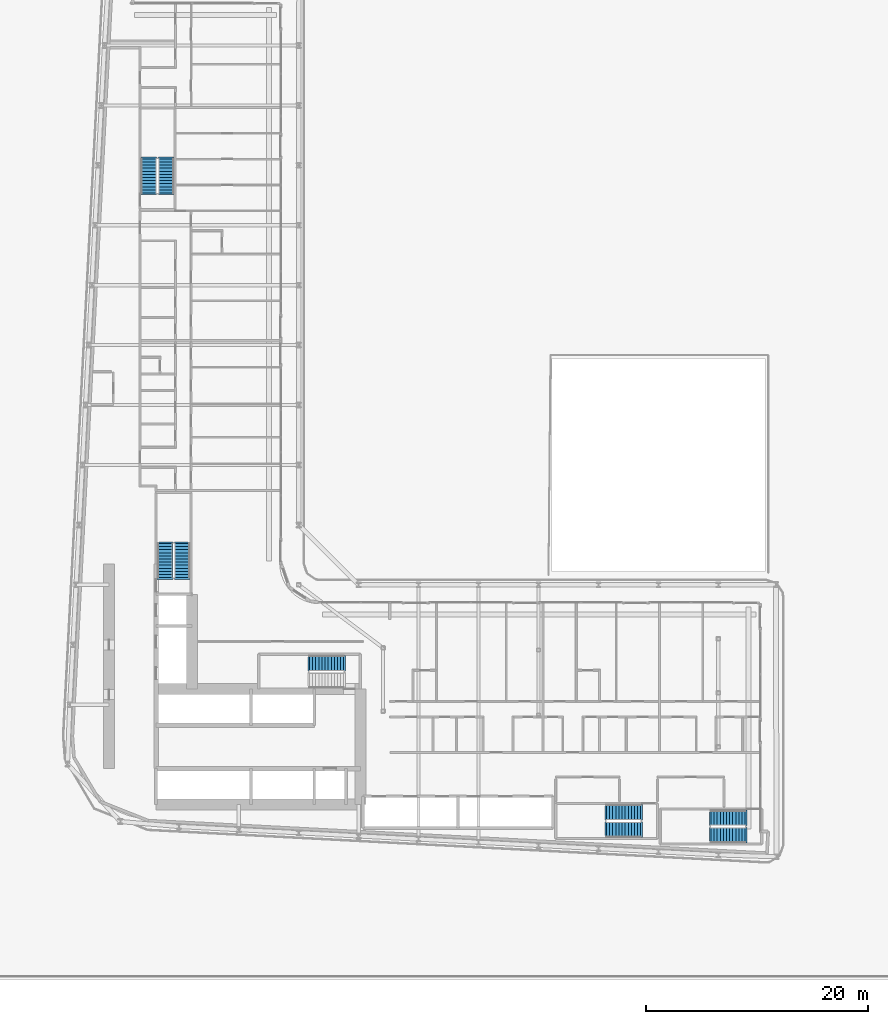
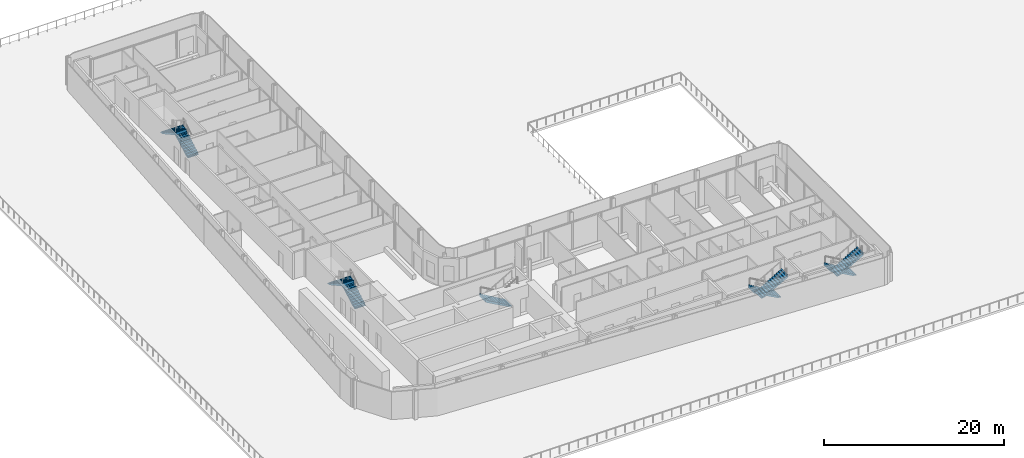
# One storey, part 19 of 27: 9 stair flights, 5 elements without a shape of their own.
"""IFC4 building model written with IfcOpenShell, lengths in metres."""

import ifcopenshell
import ifcopenshell.guid

model = None  # the IFC model being written
_history = None  # IfcOwnerHistory: only IFC2X3 demands one
_inside = {}  # id of a spatial element -> (the spatial element, [elements in it])
_under = {}  # id of a project, library or spatial element -> (it, [spatial elements below it])
_declared = {}  # id of a project -> (the project, [libraries it declares])
_typed = {}  # id of a type object -> (the type object, [elements of that type])
_made_of = {}  # id of a material, layer set ... -> (it, [elements and type objects made of it])


def new_model(schema):
    """Start an empty IFC model of exactly this schema.

    Asked for "IFC4X3", IfcOpenShell would pick the latest addendum, in which some entities
    have other attributes; the version numbers below select the first issue.
    IFC2X3 requires an IfcOwnerHistory on every rooted entity: one is made here for all.
    """
    global model, _history
    if schema == "IFC4X3":
        model = ifcopenshell.file(schema_version=(4, 3, 0, 0))
    else:
        model = ifcopenshell.file(schema=schema)
    _inside.clear()
    _under.clear()
    _declared.clear()
    _typed.clear()
    _made_of.clear()
    _history = None
    if model.schema == "IFC2X3":
        org = make("IfcOrganization", Name="unknown")
        user = make(
            "IfcPersonAndOrganization",
            ThePerson=make("IfcPerson", FamilyName="unknown"),
            TheOrganization=org,
        )
        app = make(
            "IfcApplication",
            ApplicationDeveloper=org,
            Version="unknown",
            ApplicationFullName="unknown",
            ApplicationIdentifier="unknown",
        )
        _history = make(
            "IfcOwnerHistory",
            OwningUser=user,
            OwningApplication=app,
            ChangeAction="ADDED",
            CreationDate=0,
        )
    return model


def make(cls, **values):
    """One entity of the class cls with the attributes given. An attribute that is None is left unset."""
    return model.create_entity(
        cls, **{name: value for name, value in values.items() if value is not None}
    )


def rooted(cls, **values):
    """An entity with a GlobalId (a new one), such as an element, a storey or a relation."""
    return make(cls, GlobalId=ifcopenshell.guid.new(), OwnerHistory=_history, **values)


def si_unit(unit_type, name, prefix=None):
    """IfcSIUnit, for example si_unit("LENGTHUNIT", "METRE", prefix="MILLI")."""
    return make("IfcSIUnit", UnitType=unit_type, Prefix=prefix, Name=name)


def assignment(units):
    """IfcUnitAssignment: the units of a project."""
    return None if units is None else make("IfcUnitAssignment", Units=units)


def point(xyz):
    """IfcCartesianPoint."""
    return None if xyz is None else make("IfcCartesianPoint", Coordinates=xyz)


def direction(xyz):
    """IfcDirection."""
    return None if xyz is None else make("IfcDirection", DirectionRatios=xyz)


def frame(location, z_axis=None, x_axis=None):
    """IfcAxis2Placement3D, a coordinate frame: its origin and axes. An axis left out is left unset."""
    return make(
        "IfcAxis2Placement3D",
        Location=point(location),
        Axis=direction(z_axis),
        RefDirection=direction(x_axis),
    )


def origin():
    """The frame at (0, 0, 0) with its axes left unset."""
    return frame((0.0, 0.0, 0.0))


def place(relative_to, where):
    """IfcLocalPlacement: puts the frame where relative to a parent placement (None: the world)."""
    return make(
        "IfcLocalPlacement", PlacementRelTo=relative_to, RelativePlacement=where
    )


def context(
    kind, dimensions, precision=None, world=None, true_north=None, identifier=None
):
    """IfcGeometricRepresentationContext, for example the 3D "Model" context."""
    return make(
        "IfcGeometricRepresentationContext",
        ContextIdentifier=identifier,
        ContextType=kind,
        CoordinateSpaceDimension=dimensions,
        Precision=precision,
        WorldCoordinateSystem=world,
        TrueNorth=true_north,
    )


def subcontext(parent, identifier, kind, view, scale=None):
    """IfcGeometricRepresentationSubContext, for example "Body" below "Model"."""
    return make(
        "IfcGeometricRepresentationSubContext",
        ContextIdentifier=identifier,
        ContextType=kind,
        ParentContext=parent,
        TargetScale=scale,
        TargetView=view,
    )


def project(units=None, contexts=None):
    """IfcProject with its units and contexts."""
    return rooted(
        "IfcProject",
        Name="project",
        RepresentationContexts=contexts,
        UnitsInContext=assignment(units),
    )


def spatial(cls, under=None, at=None, **own):
    """A site, building, storey or space (cls), placed at a placement, below another one or the project."""
    s = rooted(cls, ObjectPlacement=at, **own)
    if under is not None:
        _under.setdefault(under.id(), (under, []))[1].append(s)
    return s


def polyline(points):
    """IfcPolyline through the points."""
    return make("IfcPolyline", Points=[point(p) for p in points])


def outline(outer, holes=None, kind="AREA"):
    """IfcArbitraryClosedProfileDef: a profile drawn as a closed curve; with holes, ...WithVoids."""
    if holes is None:
        return make("IfcArbitraryClosedProfileDef", ProfileType=kind, OuterCurve=outer)
    return make(
        "IfcArbitraryProfileDefWithVoids",
        ProfileType=kind,
        OuterCurve=outer,
        InnerCurves=holes,
    )


def extrude(swept, where, along, depth):
    """IfcExtrudedAreaSolid: the profile swept, set in the frame where, extruded along a direction by depth."""
    return make(
        "IfcExtrudedAreaSolid",
        SweptArea=swept,
        Position=where,
        ExtrudedDirection=direction(along),
        Depth=depth,
    )


def shape(context_of_items, identifier, shape_type, items):
    """IfcShapeRepresentation: the items that make up one representation, for example the "Body"."""
    return make(
        "IfcShapeRepresentation",
        ContextOfItems=context_of_items,
        RepresentationIdentifier=identifier,
        RepresentationType=shape_type,
        Items=items,
    )


def material(Name=None, Category=None):
    """IfcMaterial."""
    return make("IfcMaterial", Name=Name, Category=Category)


def layer(
    of_material, thickness, ventilated=None, Name=None, Category=None, Priority=None
):
    """IfcMaterialLayer: one layer of a wall or slab, of a material (None: an air gap)."""
    return make(
        "IfcMaterialLayer",
        Material=of_material,
        LayerThickness=thickness,
        IsVentilated=ventilated,
        Name=Name,
        Category=Category,
        Priority=Priority,
    )


def layer_set(layers, Name=None):
    """IfcMaterialLayerSet."""
    return make("IfcMaterialLayerSet", MaterialLayers=layers, LayerSetName=Name)


def made_of(thing, what):
    """Note that an element or type object is made of a material, layer set ...; save() writes the relation."""
    if what is not None:
        _made_of.setdefault(what.id(), (what, []))[1].append(thing)
    return thing


def type_object(cls, material=None, **own):
    """A type object (cls), such as IfcWallType, which elements share."""
    return made_of(rooted(cls, **own), material)


def element(
    cls,
    number,
    at=None,
    inside=None,
    cuts=None,
    type_object=None,
    material=None,
    context=None,
    identifier="Body",
    shape_type=None,
    held_by="IfcProductDefinitionShape",
    body=None,
    shapes=None,
    **own,
):
    """One element of the class cls, such as IfcWall. Its Tag is "e" and its number.

    at: its placement. inside: the storey or other place that contains it. cuts: it is an
    opening in that element (IfcRelVoidsElement). A single representation is given by context,
    identifier, shape_type and body (its items); several are given by shapes. held_by: the class
    of the entity that holds the representations. save() writes the other relations.
    """
    e = rooted(cls, Tag="e%d" % number, ObjectPlacement=at, **own)
    if body is not None:
        shapes = [shape(context, identifier, shape_type, body)]
    if shapes is not None:
        e.Representation = make(held_by, Representations=shapes)
    if inside is not None:
        _inside.setdefault(inside.id(), (inside, []))[1].append(e)
    if cuts is not None:
        rooted(
            "IfcRelVoidsElement", RelatingBuildingElement=cuts, RelatedOpeningElement=e
        )
    if type_object is not None:
        _typed.setdefault(type_object.id(), (type_object, []))[1].append(e)
    return made_of(e, material)


def aggregate(whole, parts):
    """IfcRelAggregates: a whole, such as a stair, and the parts it consists of."""
    return rooted("IfcRelAggregates", RelatingObject=whole, RelatedObjects=parts)


def save(model, path):
    """Write the relations noted so far, then the file.

    IfcRelAggregates (storeys below a building ...), IfcRelContainedInSpatialStructure (elements
    in a storey), IfcRelDefinesByType, IfcRelAssociatesMaterial and IfcRelDeclares: one each for
    every whole, place, type object, material and project.
    """
    for whole, parts in _under.values():
        aggregate(whole, parts)
    for where, things in _inside.values():
        rooted(
            "IfcRelContainedInSpatialStructure",
            RelatedElements=things,
            RelatingStructure=where,
        )
    for kind, things in _typed.values():
        rooted("IfcRelDefinesByType", RelatedObjects=things, RelatingType=kind)
    for what, things in _made_of.values():
        rooted("IfcRelAssociatesMaterial", RelatedObjects=things, RelatingMaterial=what)
    for by, libraries in _declared.values():
        rooted("IfcRelDeclares", RelatingContext=by, RelatedDefinitions=libraries)
    model.write(path)


model = new_model("IFC4")

# Units and contexts
model_context = context("Model", 3, precision=1e-05, world=origin(), true_north=direction((0.0, 1.0)))
body_context = subcontext(model_context, "Body", "Model", "MODEL_VIEW")
ifc_project = project(units=[si_unit("LENGTHUNIT", "METRE"), si_unit("AREAUNIT", "SQUARE_METRE"), si_unit("VOLUMEUNIT", "CUBIC_METRE"), si_unit("PLANEANGLEUNIT", "RADIAN"), si_unit("MASSUNIT", "GRAM", prefix="KILO")], contexts=[model_context])

# Site, building, storey
site_placement = place(None, origin())
site = spatial("IfcSite", under=ifc_project, at=site_placement, CompositionType="ELEMENT")
building_placement = place(site_placement, origin())
building = spatial("IfcBuilding", under=site, at=building_placement, Name="Kheshtan School and Residences Tower", CompositionType="ELEMENT")
storey_placement = place(building_placement, frame((0.0, 0.0, 30.5)))
storey = spatial("IfcBuildingStorey", under=building, at=storey_placement, Name="L06", CompositionType="ELEMENT", Elevation=30.5)

# Stair, stair flight
ifc_material = material(Name="Concrete C40/50", Category="concrete")
stair_type = type_object("IfcStairType", Name="Exit stair, half-turn", PredefinedType="HALF_TURN_STAIR", material=ifc_material)
stair_1_placement = place(storey_placement, origin())
stair_1 = element("IfcStair", 1, at=stair_1_placement, inside=storey, type_object=stair_type, Name="L06 Protected Exit Stair ST1", PredefinedType="HALF_TURN_STAIR")
ifc_layer = layer(ifc_material, 0.14990234375)
ifc_layer_set = layer_set([ifc_layer], Name="Stair flight 1400 Concrete C40/50")
stair_flight_type = type_object("IfcStairFlightType", Name="Stair flight 1400 Concrete C40/50", PredefinedType="STRAIGHT", material=ifc_layer_set)
stair_flight_1_placement = place(storey_placement, frame((51.64990234375, 38.550048828125, 0.0), z_axis=(0.0, 0.0, 1.0), x_axis=(-1.0, 0.0, 0.0)))
stair_flight_1 = element("IfcStairFlight", 2, at=stair_flight_1_placement, type_object=stair_flight_type, Name="ST1 flight 1", NumberOfRisers=12, NumberOfTreads=11, PredefinedType="STRAIGHT", RiserHeight=0.1625, TreadLength=0.28, context=body_context, shape_type="SweptSolid", body=[
    extrude(outline(polyline([(-0.14990234375, -0.10009765625), (-0.14990234375, 0.0), (0.0, 0.0), (0.0, 0.16259765625), (0.280029296875, 0.16259765625), (0.280029296875, 0.324951171875), (0.56005859375, 0.324951171875), (0.56005859375, 0.487548828125), (0.840087890625, 0.487548828125), (0.840087890625, 0.64990234375), (1.1201171875, 0.64990234375), (1.1201171875, 0.8125), (1.39990234375, 0.8125), (1.39990234375, 0.97509765625), (1.679931640625, 0.97509765625), (1.679931640625, 1.137451171875), (1.9599609375, 1.137451171875), (1.9599609375, 1.300048828125), (2.239990234375, 1.300048828125), (2.239990234375, 1.46240234375), (2.52001953125, 1.46240234375), (2.52001953125, 1.625), (2.800048828125, 1.625), (2.800048828125, 1.78759765625), (3.080078125, 1.78759765625), (3.080078125, 1.949951171875), (3.080078125, 1.969970703125), (3.22998046875, 1.969970703125), (3.22998046875, 1.6142578125), (0.298583984375, 0.0), (-0.14990234375, -0.10009765625)])), frame((0.0, 0.699951171875, 0.0), z_axis=(0.0, -1.0, 0.0), x_axis=(1.0, 0.0, 0.0)), (0.0, 0.0, 1.0), 1.39990234375),
])
aggregate(stair_1, [stair_flight_1])

# Stair, stair flights
stair_2_placement = place(storey_placement, origin())
stair_2 = element("IfcStair", 3, at=stair_2_placement, inside=storey, type_object=stair_type, Name="L06 Protected Exit Stair ST2", PredefinedType="HALF_TURN_STAIR")
stair_flight_2_placement = place(storey_placement, frame((37.10009765625, 46.25, 0.0), z_axis=(0.0, 0.0, 1.0), x_axis=(0.0, 1.0, 0.0)))
stair_flight_2 = element("IfcStairFlight", 4, at=stair_flight_2_placement, type_object=stair_flight_type, Name="ST2 flight 1", NumberOfRisers=12, NumberOfTreads=11, PredefinedType="STRAIGHT", RiserHeight=0.1625, TreadLength=0.28, context=body_context, shape_type="SweptSolid", body=[
    extrude(outline(polyline([(-0.14990234375, -0.10009765625), (-0.14990234375, 0.0), (0.0, 0.0), (0.0, 0.16259765625), (0.280029296875, 0.16259765625), (0.280029296875, 0.324951171875), (0.56005859375, 0.324951171875), (0.56005859375, 0.487548828125), (0.840087890625, 0.487548828125), (0.840087890625, 0.64990234375), (1.1201171875, 0.64990234375), (1.1201171875, 0.8125), (1.39990234375, 0.8125), (1.39990234375, 0.97509765625), (1.679931640625, 0.97509765625), (1.679931640625, 1.137451171875), (1.9599609375, 1.137451171875), (1.9599609375, 1.300048828125), (2.239990234375, 1.300048828125), (2.239990234375, 1.46240234375), (2.52001953125, 1.46240234375), (2.52001953125, 1.625), (2.800048828125, 1.625), (2.800048828125, 1.78759765625), (3.080078125, 1.78759765625), (3.080078125, 1.949951171875), (3.080078125, 1.969970703125), (3.22998046875, 1.969970703125), (3.22998046875, 1.6142578125), (0.298583984375, 0.0), (-0.14990234375, -0.10009765625)])), frame((0.0, 0.699951171875, 0.0), z_axis=(0.0, -1.0, 0.0), x_axis=(1.0, 0.0, 0.0)), (0.0, 0.0, 1.0), 1.39990234375),
])
stair_flight_3_placement = place(storey_placement, frame((35.550048828125, 49.330078125, 1.949951171875), z_axis=(0.0, 0.0, 1.0), x_axis=(0.0, -1.0, 0.0)))
stair_flight_3 = element("IfcStairFlight", 5, at=stair_flight_3_placement, type_object=stair_flight_type, Name="ST2 flight 2", NumberOfRisers=12, NumberOfTreads=11, PredefinedType="STRAIGHT", RiserHeight=0.1625, TreadLength=0.28, context=body_context, shape_type="SweptSolid", body=[
    extrude(outline(polyline([(-0.14990234375, -0.10009765625), (-0.14990234375, 0.0), (0.0, 0.0), (0.0, 0.16259765625), (0.280029296875, 0.16259765625), (0.280029296875, 0.324951171875), (0.56005859375, 0.324951171875), (0.56005859375, 0.487548828125), (0.840087890625, 0.487548828125), (0.840087890625, 0.64990234375), (1.1201171875, 0.64990234375), (1.1201171875, 0.8125), (1.39990234375, 0.8125), (1.39990234375, 0.97509765625), (1.679931640625, 0.97509765625), (1.679931640625, 1.137451171875), (1.9599609375, 1.137451171875), (1.9599609375, 1.300048828125), (2.239990234375, 1.300048828125), (2.239990234375, 1.46240234375), (2.52001953125, 1.46240234375), (2.52001953125, 1.625), (2.800048828125, 1.625), (2.800048828125, 1.78759765625), (3.080078125, 1.78759765625), (3.080078125, 1.949951171875), (3.080078125, 1.969970703125), (3.22998046875, 1.969970703125), (3.22998046875, 1.6142578125), (0.298583984375, 0.0), (-0.14990234375, -0.10009765625)])), frame((0.0, 0.699951171875, 0.0), z_axis=(0.0, -1.0, 0.0), x_axis=(1.0, 0.0, 0.0)), (0.0, 0.0, 1.0), 1.39990234375),
])
aggregate(stair_2, [stair_flight_2, stair_flight_3])

stair_3_placement = place(storey_placement, origin())
stair_3 = element("IfcStair", 6, at=stair_3_placement, inside=storey, type_object=stair_type, Name="L06 Protected Exit Stair ST3", PredefinedType="HALF_TURN_STAIR")
stair_flight_4_placement = place(storey_placement, frame((35.64990234375, 80.89990234375, 0.0), z_axis=(0.0, 0.0, 1.0), x_axis=(0.0, 1.0, 0.0)))
stair_flight_4 = element("IfcStairFlight", 7, at=stair_flight_4_placement, type_object=stair_flight_type, Name="ST3 flight 1", NumberOfRisers=12, NumberOfTreads=11, PredefinedType="STRAIGHT", RiserHeight=0.1625, TreadLength=0.28, context=body_context, shape_type="SweptSolid", body=[
    extrude(outline(polyline([(-0.14990234375, -0.10009765625), (-0.14990234375, 0.0), (0.0, 0.0), (0.0, 0.16259765625), (0.280029296875, 0.16259765625), (0.280029296875, 0.324951171875), (0.56005859375, 0.324951171875), (0.56005859375, 0.487548828125), (0.840087890625, 0.487548828125), (0.840087890625, 0.64990234375), (1.1201171875, 0.64990234375), (1.1201171875, 0.8125), (1.39990234375, 0.8125), (1.39990234375, 0.97509765625), (1.679931640625, 0.97509765625), (1.679931640625, 1.137451171875), (1.9599609375, 1.137451171875), (1.9599609375, 1.300048828125), (2.239990234375, 1.300048828125), (2.239990234375, 1.46240234375), (2.52001953125, 1.46240234375), (2.52001953125, 1.625), (2.800048828125, 1.625), (2.800048828125, 1.78759765625), (3.080078125, 1.78759765625), (3.080078125, 1.949951171875), (3.080078125, 1.969970703125), (3.22998046875, 1.969970703125), (3.22998046875, 1.6142578125), (0.298583984375, 0.0), (-0.14990234375, -0.10009765625)])), frame((0.0, 0.699951171875, 0.0), z_axis=(0.0, -1.0, 0.0), x_axis=(1.0, 0.0, 0.0)), (0.0, 0.0, 1.0), 1.39990234375),
])
stair_flight_5_placement = place(storey_placement, frame((34.10009765625, 83.97998046875, 1.949951171875), z_axis=(0.0, 0.0, 1.0), x_axis=(0.0, -1.0, 0.0)))
stair_flight_5 = element("IfcStairFlight", 8, at=stair_flight_5_placement, type_object=stair_flight_type, Name="ST3 flight 2", NumberOfRisers=12, NumberOfTreads=11, PredefinedType="STRAIGHT", RiserHeight=0.1625, TreadLength=0.28, context=body_context, shape_type="SweptSolid", body=[
    extrude(outline(polyline([(-0.14990234375, -0.10009765625), (-0.14990234375, 0.0), (0.0, 0.0), (0.0, 0.16259765625), (0.280029296875, 0.16259765625), (0.280029296875, 0.324951171875), (0.56005859375, 0.324951171875), (0.56005859375, 0.487548828125), (0.840087890625, 0.487548828125), (0.840087890625, 0.64990234375), (1.1201171875, 0.64990234375), (1.1201171875, 0.8125), (1.39990234375, 0.8125), (1.39990234375, 0.97509765625), (1.679931640625, 0.97509765625), (1.679931640625, 1.137451171875), (1.9599609375, 1.137451171875), (1.9599609375, 1.300048828125), (2.239990234375, 1.300048828125), (2.239990234375, 1.46240234375), (2.52001953125, 1.46240234375), (2.52001953125, 1.625), (2.800048828125, 1.625), (2.800048828125, 1.78759765625), (3.080078125, 1.78759765625), (3.080078125, 1.949951171875), (3.080078125, 1.969970703125), (3.22998046875, 1.969970703125), (3.22998046875, 1.6142578125), (0.298583984375, 0.0), (-0.14990234375, -0.10009765625)])), frame((0.0, 0.699951171875, 0.0), z_axis=(0.0, -1.0, 0.0), x_axis=(1.0, 0.0, 0.0)), (0.0, 0.0, 1.0), 1.39990234375),
])
aggregate(stair_3, [stair_flight_4, stair_flight_5])

stair_4_placement = place(storey_placement, origin())
stair_4 = element("IfcStair", 9, at=stair_4_placement, inside=storey, type_object=stair_type, Name="L06 Protected Exit Stair ST4", PredefinedType="HALF_TURN_STAIR")
stair_flight_6_placement = place(storey_placement, frame((87.820068359375, 24.60009765625, 0.0), z_axis=(0.0, 0.0, 1.0), x_axis=(-1.0, 0.0, 0.0)))
stair_flight_6 = element("IfcStairFlight", 10, at=stair_flight_6_placement, type_object=stair_flight_type, Name="ST4 flight 1", NumberOfRisers=12, NumberOfTreads=11, PredefinedType="STRAIGHT", RiserHeight=0.1625, TreadLength=0.28, context=body_context, shape_type="SweptSolid", body=[
    extrude(outline(polyline([(-0.14990234375, -0.10009765625), (-0.14990234375, 0.0), (0.0, 0.0), (0.0, 0.16259765625), (0.280029296875, 0.16259765625), (0.280029296875, 0.324951171875), (0.56005859375, 0.324951171875), (0.56005859375, 0.487548828125), (0.840087890625, 0.487548828125), (0.840087890625, 0.64990234375), (1.1201171875, 0.64990234375), (1.1201171875, 0.8125), (1.39990234375, 0.8125), (1.39990234375, 0.97509765625), (1.679931640625, 0.97509765625), (1.679931640625, 1.137451171875), (1.9599609375, 1.137451171875), (1.9599609375, 1.300048828125), (2.239990234375, 1.300048828125), (2.239990234375, 1.46240234375), (2.52001953125, 1.46240234375), (2.52001953125, 1.625), (2.800048828125, 1.625), (2.800048828125, 1.78759765625), (3.080078125, 1.78759765625), (3.080078125, 1.949951171875), (3.080078125, 1.969970703125), (3.22998046875, 1.969970703125), (3.22998046875, 1.6142578125), (0.298583984375, 0.0), (-0.14990234375, -0.10009765625)])), frame((0.0, 0.699951171875, 0.0), z_axis=(0.0, -1.0, 0.0), x_axis=(1.0, 0.0, 0.0)), (0.0, 0.0, 1.0), 1.39990234375),
])
stair_flight_7_placement = place(storey_placement, frame((84.739990234375, 23.050048828125, 1.949951171875), z_axis=(0.0, 0.0, 1.0), x_axis=(1.0, 0.0, 0.0)))
stair_flight_7 = element("IfcStairFlight", 11, at=stair_flight_7_placement, type_object=stair_flight_type, Name="ST4 flight 2", NumberOfRisers=12, NumberOfTreads=11, PredefinedType="STRAIGHT", RiserHeight=0.1625, TreadLength=0.28, context=body_context, shape_type="SweptSolid", body=[
    extrude(outline(polyline([(-0.14990234375, -0.10009765625), (-0.14990234375, 0.0), (0.0, 0.0), (0.0, 0.16259765625), (0.280029296875, 0.16259765625), (0.280029296875, 0.324951171875), (0.56005859375, 0.324951171875), (0.56005859375, 0.487548828125), (0.840087890625, 0.487548828125), (0.840087890625, 0.64990234375), (1.1201171875, 0.64990234375), (1.1201171875, 0.8125), (1.39990234375, 0.8125), (1.39990234375, 0.97509765625), (1.679931640625, 0.97509765625), (1.679931640625, 1.137451171875), (1.9599609375, 1.137451171875), (1.9599609375, 1.300048828125), (2.239990234375, 1.300048828125), (2.239990234375, 1.46240234375), (2.52001953125, 1.46240234375), (2.52001953125, 1.625), (2.800048828125, 1.625), (2.800048828125, 1.78759765625), (3.080078125, 1.78759765625), (3.080078125, 1.949951171875), (3.080078125, 1.969970703125), (3.22998046875, 1.969970703125), (3.22998046875, 1.6142578125), (0.298583984375, 0.0), (-0.14990234375, -0.10009765625)])), frame((0.0, 0.699951171875, 0.0), z_axis=(0.0, -1.0, 0.0), x_axis=(1.0, 0.0, 0.0)), (0.0, 0.0, 1.0), 1.39990234375),
])
aggregate(stair_4, [stair_flight_6, stair_flight_7])

stair_5_placement = place(storey_placement, origin())
stair_5 = element("IfcStair", 12, at=stair_5_placement, inside=storey, type_object=stair_type, Name="L06 Protected Exit Stair ST5", PredefinedType="HALF_TURN_STAIR")
stair_flight_8_placement = place(storey_placement, frame((78.409912109375, 25.10009765625, 0.0), z_axis=(0.0, 0.0, 1.0), x_axis=(-1.0, 0.0, 0.0)))
stair_flight_8 = element("IfcStairFlight", 13, at=stair_flight_8_placement, type_object=stair_flight_type, Name="ST5 flight 1", NumberOfRisers=12, NumberOfTreads=11, PredefinedType="STRAIGHT", RiserHeight=0.1625, TreadLength=0.28, context=body_context, shape_type="SweptSolid", body=[
    extrude(outline(polyline([(-0.14990234375, -0.10009765625), (-0.14990234375, 0.0), (0.0, 0.0), (0.0, 0.16259765625), (0.280029296875, 0.16259765625), (0.280029296875, 0.324951171875), (0.56005859375, 0.324951171875), (0.56005859375, 0.487548828125), (0.840087890625, 0.487548828125), (0.840087890625, 0.64990234375), (1.1201171875, 0.64990234375), (1.1201171875, 0.8125), (1.39990234375, 0.8125), (1.39990234375, 0.97509765625), (1.679931640625, 0.97509765625), (1.679931640625, 1.137451171875), (1.9599609375, 1.137451171875), (1.9599609375, 1.300048828125), (2.239990234375, 1.300048828125), (2.239990234375, 1.46240234375), (2.52001953125, 1.46240234375), (2.52001953125, 1.625), (2.800048828125, 1.625), (2.800048828125, 1.78759765625), (3.080078125, 1.78759765625), (3.080078125, 1.949951171875), (3.080078125, 1.969970703125), (3.22998046875, 1.969970703125), (3.22998046875, 1.6142578125), (0.298583984375, 0.0), (-0.14990234375, -0.10009765625)])), frame((0.0, 0.699951171875, 0.0), z_axis=(0.0, -1.0, 0.0), x_axis=(1.0, 0.0, 0.0)), (0.0, 0.0, 1.0), 1.39990234375),
])
stair_flight_9_placement = place(storey_placement, frame((75.330078125, 23.550048828125, 1.949951171875), z_axis=(0.0, 0.0, 1.0), x_axis=(1.0, 0.0, 0.0)))
stair_flight_9 = element("IfcStairFlight", 14, at=stair_flight_9_placement, type_object=stair_flight_type, Name="ST5 flight 2", NumberOfRisers=12, NumberOfTreads=11, PredefinedType="STRAIGHT", RiserHeight=0.1625, TreadLength=0.28, context=body_context, shape_type="SweptSolid", body=[
    extrude(outline(polyline([(-0.14990234375, -0.10009765625), (-0.14990234375, 0.0), (0.0, 0.0), (0.0, 0.16259765625), (0.280029296875, 0.16259765625), (0.280029296875, 0.324951171875), (0.56005859375, 0.324951171875), (0.56005859375, 0.487548828125), (0.840087890625, 0.487548828125), (0.840087890625, 0.64990234375), (1.1201171875, 0.64990234375), (1.1201171875, 0.8125), (1.39990234375, 0.8125), (1.39990234375, 0.97509765625), (1.679931640625, 0.97509765625), (1.679931640625, 1.137451171875), (1.9599609375, 1.137451171875), (1.9599609375, 1.300048828125), (2.239990234375, 1.300048828125), (2.239990234375, 1.46240234375), (2.52001953125, 1.46240234375), (2.52001953125, 1.625), (2.800048828125, 1.625), (2.800048828125, 1.78759765625), (3.080078125, 1.78759765625), (3.080078125, 1.949951171875), (3.080078125, 1.969970703125), (3.22998046875, 1.969970703125), (3.22998046875, 1.6142578125), (0.298583984375, 0.0), (-0.14990234375, -0.10009765625)])), frame((0.0, 0.699951171875, 0.0), z_axis=(0.0, -1.0, 0.0), x_axis=(1.0, 0.0, 0.0)), (0.0, 0.0, 1.0), 1.39990234375),
])
aggregate(stair_5, [stair_flight_8, stair_flight_9])

save(model, "model.ifc")
